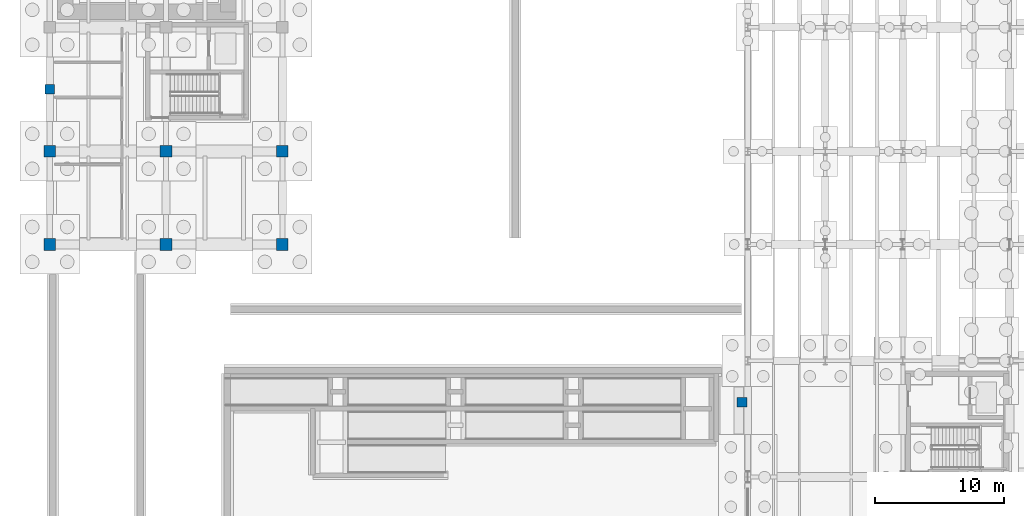
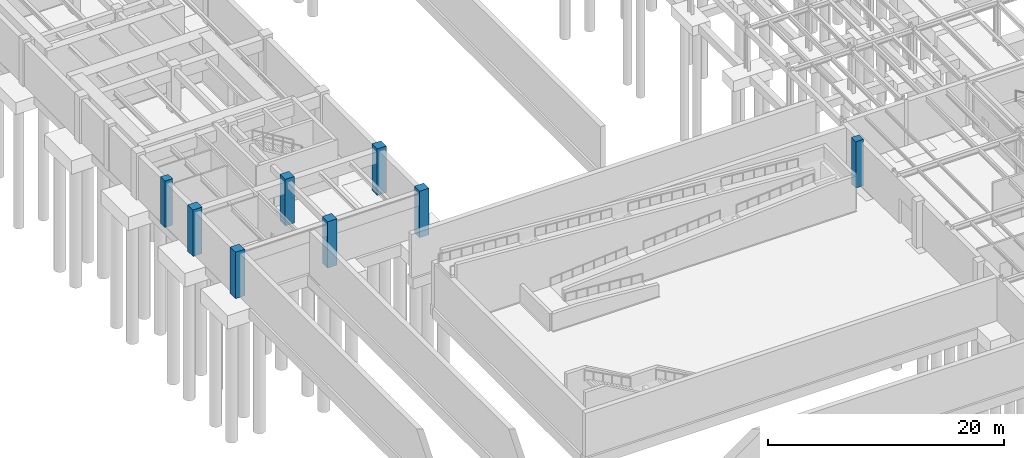
# One storey, part 15 of 59: 8 columns.
"""IFC4 building model written with IfcOpenShell, lengths in metres."""

from ifc_helpers import new_model, si_unit, direction, frame, origin, origin_2d, place, context, subcontext, project, spatial, rectangle, extrude, material, material_profile, profile_set, type_object, element, save


model = new_model("IFC4")

# Units and contexts
model_context = context("Model", 3, precision=1e-05, world=origin(), true_north=direction((0.0, 1.0)))
body_context = subcontext(model_context, "Body", "Model", "MODEL_VIEW")
ifc_project = project(units=[si_unit("LENGTHUNIT", "METRE"), si_unit("AREAUNIT", "SQUARE_METRE"), si_unit("VOLUMEUNIT", "CUBIC_METRE"), si_unit("PLANEANGLEUNIT", "RADIAN"), si_unit("MASSUNIT", "GRAM", prefix="KILO")], contexts=[model_context])

# Site, building, storey
site_placement = place(None, origin())
site = spatial("IfcSite", under=ifc_project, at=site_placement, CompositionType="ELEMENT")
building_placement = place(site_placement, origin())
building = spatial("IfcBuilding", under=site, at=building_placement, Name="Montealbar Specialist Clinic", CompositionType="ELEMENT")
storey_placement = place(building_placement, frame((0.0, 0.0, -4.800048828125)))
storey = spatial("IfcBuildingStorey", under=building, at=storey_placement, Name="B01", CompositionType="ELEMENT", Elevation=-4.800048828125)

# Columns
ifc_material_1 = material(Name="Concrete C35/45", Category="concrete")
ifc_material_profile_1 = material_profile(ifc_material_1, rectangle(XDim=0.89990234375, YDim=0.89990234375, at=origin_2d()), Name="RC 900x900", Category="concrete")
ifc_profile_set_1 = profile_set([ifc_material_profile_1], Name="Concrete C35/45")
column_type_1 = type_object("IfcColumnType", Name="COL-RC-BUNKER", PredefinedType="COLUMN", material=ifc_profile_set_1)
column_placement = place(storey_placement, frame((9.0, 52.199951171875, 0.0), z_axis=(0.0, 0.0, 1.0), x_axis=(1.0, 0.0, 0.0)))
element("IfcColumn", 1, at=column_placement, inside=storey, type_object=column_type_1, Name="Column 2/G B01", PredefinedType="COLUMN", context=body_context, shape_type="SweptSolid", body=[
    extrude(rectangle(XDim=0.89990234375, YDim=0.89990234375, at=origin_2d()), origin(), (0.0, 0.0, 1.0), 4.800048828125),
])
ifc_material_profile_2 = material_profile(ifc_material_1, rectangle(XDim=0.89990234375, YDim=0.89990234375, at=origin_2d()), Name="RC 900x900", Category="concrete")
ifc_profile_set_2 = profile_set([ifc_material_profile_2], Name="Concrete C35/45")
column_type_2 = type_object("IfcColumnType", Name="COL-RC-BUNKER-EXT", PredefinedType="COLUMN", material=ifc_profile_set_2)
for number, where, z_axis, x_axis, name in (
    (2, (0.0, 45.0, 0.0), (0.0, 0.0, 1.0), (1.0, 0.0, 0.0), "Column 1/F B01"),
    (3, (0.0, 52.199951171875, 0.0), (0.0, 0.0, 1.0), (1.0, 0.0, 0.0), "Column 1/G B01"),
    (4, (9.0, 45.0, 0.0), (0.0, 0.0, 1.0), (1.0, 0.0, 0.0), "Column 2/F B01"),
    (5, (18.0, 45.0, 0.0), (0.0, 0.0, 1.0), (1.0, 0.0, 0.0), "Column 3/F B01"),
    (6, (18.0, 52.199951171875, 0.0), (0.0, 0.0, 1.0), (1.0, 0.0, 0.0), "Column 3/G B01"),
):
    element("IfcColumn", number, at=place(storey_placement, frame(where, z_axis=z_axis, x_axis=x_axis)), inside=storey, type_object=column_type_2, Name=name, PredefinedType="COLUMN", context=body_context, shape_type="SweptSolid", body=[
        extrude(rectangle(XDim=0.89990234375, YDim=0.89990234375, at=origin_2d()), origin(), (0.0, 0.0, 1.0), 4.800048828125),
    ])
ifc_material_2 = material(Name="Guadarrama granite ashlar", Category="masonry")
ifc_material_profile_3 = material_profile(ifc_material_2, rectangle(XDim=0.75, YDim=0.75, at=origin_2d()), Name="GRANITE PILASTER 750x750", Category="masonry")
ifc_profile_set_3 = profile_set([ifc_material_profile_3], Name="Guadarrama granite ashlar")
column_type_3 = type_object("IfcColumnType", Name="PIL-PM-GIANT-INT", PredefinedType="PILASTER", material=ifc_profile_set_3)
for number, where, z_axis, x_axis, name in (
    (7, (0.0, 57.0, 0.0), (0.0, 0.0, 1.0), (1.0, 0.0, 0.0), "Column WP1/GH B01"),
    (8, (53.550048828125, 32.800048828125, 0.0), (0.0, 0.0, 1.0), (1.0, 0.0, 0.0), "Column MP3/MC3 B01"),
):
    element("IfcColumn", number, at=place(storey_placement, frame(where, z_axis=z_axis, x_axis=x_axis)), inside=storey, type_object=column_type_3, Name=name, PredefinedType="PILASTER", context=body_context, shape_type="SweptSolid", body=[
        extrude(rectangle(XDim=0.75, YDim=0.75, at=origin_2d()), origin(), (0.0, 0.0, 1.0), 4.800048828125),
    ])

save(model, "model.ifc")
